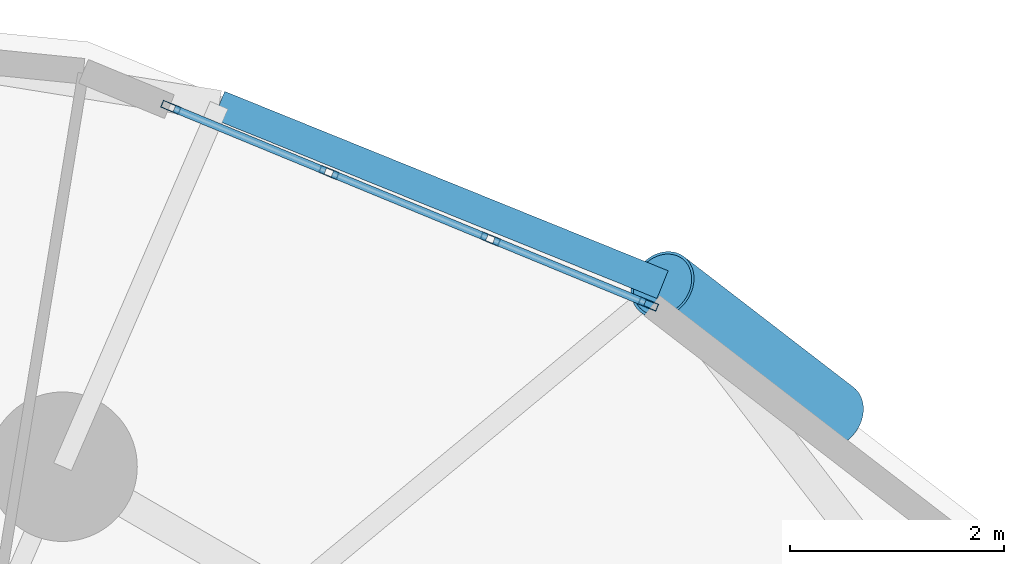
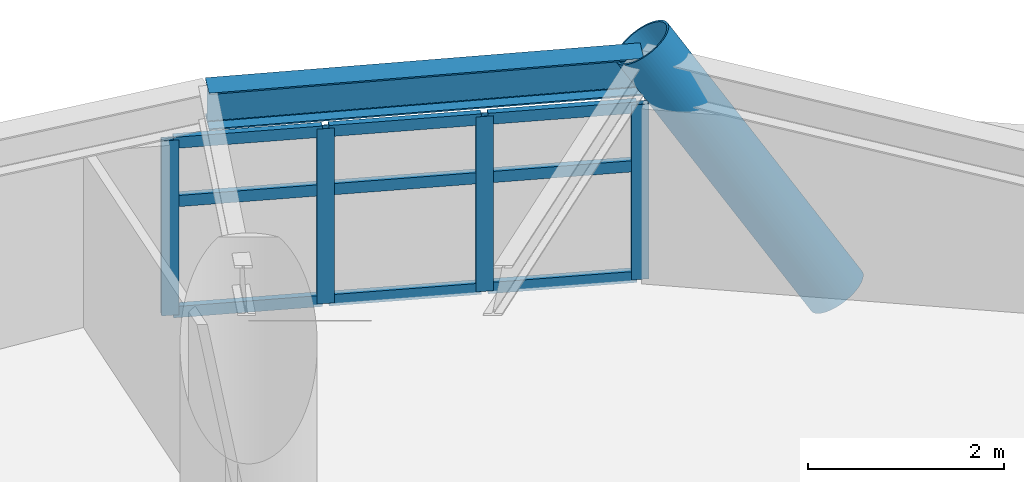
# One storey, part 7 of 16: 14 members, 1 beam, 1 element without a shape of its own.
"""IFC4 building model written with IfcOpenShell, lengths in metres."""

from ifc_helpers import new_model, si_unit, direction, frame, origin, origin_2d, place, context, subcontext, project, spatial, hollow_rectangle, hollow_circle, i_section, extrude, material, layer, layer_set, material_profile, profile_set, type_object, element, aggregate, save


model = new_model("IFC4")

# Units and contexts
model_context = context("Model", 3, precision=1e-05, world=origin(), true_north=direction((0.0, 1.0)))
body_context = subcontext(model_context, "Body", "Model", "MODEL_VIEW")
ifc_project = project(units=[si_unit("LENGTHUNIT", "METRE"), si_unit("AREAUNIT", "SQUARE_METRE"), si_unit("VOLUMEUNIT", "CUBIC_METRE"), si_unit("PLANEANGLEUNIT", "RADIAN"), si_unit("MASSUNIT", "GRAM", prefix="KILO")], contexts=[model_context])

# Site, building, storey
site_placement = place(None, origin())
site = spatial("IfcSite", under=ifc_project, at=site_placement, CompositionType="ELEMENT")
building_placement = place(site_placement, origin())
building = spatial("IfcBuilding", under=site, at=building_placement, Name="Cununo Teusaquillo Station Towers", CompositionType="ELEMENT")
storey_placement = place(building_placement, frame((0.0, 0.0, 99.25)))
storey = spatial("IfcBuildingStorey", under=building, at=storey_placement, Name="L31", CompositionType="ELEMENT", Elevation=99.25)

# Beam
ifc_material_1 = material(Name="Steel ASTM A572 Grade 50", Category="steel")
ifc_material_profile_1 = material_profile(ifc_material_1, i_section(OverallWidth=0.280029296875, OverallDepth=0.462890625, WebThickness=0.0107421875, FlangeThickness=0.017333984375, FilletRadius=0.013916015625, at=origin_2d()), Name="W18X76")
ifc_profile_set_1 = profile_set([ifc_material_profile_1], Name="Steel ASTM A572 Grade 50")
beam_type = type_object("IfcBeamType", Name="BM-RING-Z2", PredefinedType="SPANDREL", material=ifc_profile_set_1)
beam_placement = place(storey_placement, frame((63.9111328125, 39.341064453125, 2.4384765625), z_axis=(-0.927007712072, 0.375042266631, 0.0), x_axis=(-0.375042266631, -0.927007712072, 0.0)))
element("IfcBeam", 1, at=beam_placement, inside=storey, type_object=beam_type, Name="L31 Tower B Spandrel Ring Beam 02", PredefinedType="SPANDREL", context=body_context, shape_type="SweptSolid", body=[
    extrude(i_section(OverallWidth=0.280029296875, OverallDepth=0.462890625, WebThickness=0.0107421875, FlangeThickness=0.017333984375, FilletRadius=0.013916015625, at=origin_2d()), origin(), (0.0, 0.0, 1.0), 4.480712890625),
])

# Curtain wall, members
ifc_material_2 = material(Name="Ceramic-fritted dark low-E double glazing", Category="glass")
ifc_layer = layer(ifc_material_2, 0.179931640625)
ifc_layer_set = layer_set([ifc_layer], Name="Ceramic-fritted dark low-E double glazing")
curtain_wall_type = type_object("IfcCurtainWallType", Name="CW-SYS-04", PredefinedType="USERDEFINED", material=ifc_layer_set)
curtain_wall_placement = place(storey_placement, origin())
curtain_wall = element("IfcCurtainWall", 2, at=curtain_wall_placement, inside=storey, type_object=curtain_wall_type, Name="L31 Tower B Facade Curtain Wall C01", ObjectType="FRITTED GLAZING", PredefinedType="USERDEFINED")
ifc_material_3 = material(Name="Anodised dark bronze aluminium EN AW-6063-T6", Category="aluminium")
ifc_material_profile_2 = material_profile(ifc_material_3, hollow_rectangle(XDim=0.070068359375, YDim=0.179931640625, WallThickness=0.00390625, at=origin_2d()), Name="CW-MULL-70x180")
ifc_profile_set_2 = profile_set([ifc_material_profile_2], Name="Anodised dark bronze aluminium EN AW-6063-T6")
member_type_1 = type_object("IfcMemberType", Name="CWM-180", PredefinedType="MULLION", material=ifc_profile_set_2)
member_1_placement = place(storey_placement, frame((59.3056640625, 41.001953125, 0.0), z_axis=(0.0, 0.0, 1.0), x_axis=(0.381030560176, 0.924562443652, 0.0)))
member_1 = element("IfcMember", 3, at=member_1_placement, type_object=member_type_1, Name="CW-04 mullion 1", PredefinedType="MULLION", context=body_context, shape_type="SweptSolid", body=[
    extrude(hollow_rectangle(XDim=0.070068359375, YDim=0.179931640625, WallThickness=0.00390625, at=origin_2d()), origin(), (0.0, 0.0, 1.0), 2.178955078125),
])
member_2_placement = place(storey_placement, frame((60.785888671875, 40.39208984375, 0.0), z_axis=(0.0, 0.0, 1.0), x_axis=(0.381030560176, 0.924562443652, 0.0)))
member_2 = element("IfcMember", 4, at=member_2_placement, type_object=member_type_1, Name="CW-04 mullion 2", PredefinedType="MULLION", context=body_context, shape_type="SweptSolid", body=[
    extrude(hollow_rectangle(XDim=0.070068359375, YDim=0.179931640625, WallThickness=0.00390625, at=origin_2d()), origin(), (0.0, 0.0, 1.0), 2.178955078125),
])
member_3_placement = place(storey_placement, frame((62.298583984375, 39.7685546875, 0.0), z_axis=(0.0, 0.0, 1.0), x_axis=(0.381030560176, 0.924562443652, 0.0)))
member_3 = element("IfcMember", 5, at=member_3_placement, type_object=member_type_1, Name="CW-04 mullion 3", PredefinedType="MULLION", context=body_context, shape_type="SweptSolid", body=[
    extrude(hollow_rectangle(XDim=0.070068359375, YDim=0.179931640625, WallThickness=0.00390625, at=origin_2d()), origin(), (0.0, 0.0, 1.0), 2.178955078125),
])
member_4_placement = place(storey_placement, frame((63.77880859375, 39.158447265625, 0.0), z_axis=(0.0, 0.0, 1.0), x_axis=(0.381030560176, 0.924562443652, 0.0)))
member_4 = element("IfcMember", 6, at=member_4_placement, type_object=member_type_1, Name="CW-04 mullion 4", PredefinedType="MULLION", context=body_context, shape_type="SweptSolid", body=[
    extrude(hollow_rectangle(XDim=0.070068359375, YDim=0.179931640625, WallThickness=0.00390625, at=origin_2d()), origin(), (0.0, 0.0, 1.0), 2.178955078125),
])
ifc_material_4 = material(Name="Anodised dark bronze aluminium EN AW-6063-T6", Category="aluminium")
ifc_material_profile_3 = material_profile(ifc_material_4, hollow_rectangle(XDim=0.070068359375, YDim=0.139892578125, WallThickness=0.00390625, at=origin_2d()), Name="CW-TRAN-70x140")
ifc_profile_set_3 = profile_set([ifc_material_profile_3], Name="Anodised dark bronze aluminium EN AW-6063-T6")
member_type_2 = type_object("IfcMemberType", Name="CWT-140", PredefinedType="USERDEFINED", material=ifc_profile_set_3)
member_5_placement = place(storey_placement, frame((59.337890625, 40.98876953125, 0.034912109375), z_axis=(0.924532726965, -0.381102659097, 0.0), x_axis=(0.381102659097, 0.924532726965, 0.0)))
member_5 = element("IfcMember", 7, at=member_5_placement, type_object=member_type_2, Name="CW-04 transom 1.1", ObjectType="TRANSOM", PredefinedType="USERDEFINED", context=body_context, shape_type="SweptSolid", body=[
    extrude(hollow_rectangle(XDim=0.070068359375, YDim=0.139892578125, WallThickness=0.00390625, at=origin_2d()), origin(), (0.0, 0.0, 1.0), 1.531005859375),
])
member_6_placement = place(storey_placement, frame((59.337890625, 40.98876953125, 1.416015625), z_axis=(0.924532726965, -0.381102659097, 0.0), x_axis=(0.381102659097, 0.924532726965, 0.0)))
member_6 = element("IfcMember", 8, at=member_6_placement, type_object=member_type_2, Name="CW-04 transom 1.2", ObjectType="TRANSOM", PredefinedType="USERDEFINED", context=body_context, shape_type="SweptSolid", body=[
    extrude(hollow_rectangle(XDim=0.070068359375, YDim=0.139892578125, WallThickness=0.00390625, at=origin_2d()), origin(), (0.0, 0.0, 1.0), 1.531005859375),
])
member_7_placement = place(storey_placement, frame((59.337890625, 40.98876953125, 2.14404296875), z_axis=(0.924532726965, -0.381102659097, 0.0), x_axis=(0.381102659097, 0.924532726965, 0.0)))
member_7 = element("IfcMember", 9, at=member_7_placement, type_object=member_type_2, Name="CW-04 transom 1.3", ObjectType="TRANSOM", PredefinedType="USERDEFINED", context=body_context, shape_type="SweptSolid", body=[
    extrude(hollow_rectangle(XDim=0.070068359375, YDim=0.139892578125, WallThickness=0.00390625, at=origin_2d()), origin(), (0.0, 0.0, 1.0), 1.531005859375),
])
member_8_placement = place(storey_placement, frame((60.818115234375, 40.378662109375, 0.034912109375), z_axis=(0.924577983912, -0.380992849887, 0.0), x_axis=(0.380992849887, 0.924577983912, 0.0)))
member_8 = element("IfcMember", 10, at=member_8_placement, type_object=member_type_2, Name="CW-04 transom 2.1", ObjectType="TRANSOM", PredefinedType="USERDEFINED", context=body_context, shape_type="SweptSolid", body=[
    extrude(hollow_rectangle(XDim=0.070068359375, YDim=0.139892578125, WallThickness=0.00390625, at=origin_2d()), origin(), (0.0, 0.0, 1.0), 1.566162109375),
])
member_9_placement = place(storey_placement, frame((60.818115234375, 40.378662109375, 1.416015625), z_axis=(0.924577983912, -0.380992849887, 0.0), x_axis=(0.380992849887, 0.924577983912, 0.0)))
member_9 = element("IfcMember", 11, at=member_9_placement, type_object=member_type_2, Name="CW-04 transom 2.2", ObjectType="TRANSOM", PredefinedType="USERDEFINED", context=body_context, shape_type="SweptSolid", body=[
    extrude(hollow_rectangle(XDim=0.070068359375, YDim=0.139892578125, WallThickness=0.00390625, at=origin_2d()), origin(), (0.0, 0.0, 1.0), 1.566162109375),
])
member_10_placement = place(storey_placement, frame((60.818115234375, 40.378662109375, 2.14404296875), z_axis=(0.924577983912, -0.380992849887, 0.0), x_axis=(0.380992849887, 0.924577983912, 0.0)))
member_10 = element("IfcMember", 12, at=member_10_placement, type_object=member_type_2, Name="CW-04 transom 2.3", ObjectType="TRANSOM", PredefinedType="USERDEFINED", context=body_context, shape_type="SweptSolid", body=[
    extrude(hollow_rectangle(XDim=0.070068359375, YDim=0.139892578125, WallThickness=0.00390625, at=origin_2d()), origin(), (0.0, 0.0, 1.0), 1.566162109375),
])
member_11_placement = place(storey_placement, frame((62.330810546875, 39.75537109375, 0.034912109375), z_axis=(0.924555881283, -0.381046483233, 0.0), x_axis=(0.381046483233, 0.924555881283, 0.0)))
member_11 = element("IfcMember", 13, at=member_11_placement, type_object=member_type_2, Name="CW-04 transom 3.1", ObjectType="TRANSOM", PredefinedType="USERDEFINED", context=body_context, shape_type="SweptSolid", body=[
    extrude(hollow_rectangle(XDim=0.070068359375, YDim=0.139892578125, WallThickness=0.00390625, at=origin_2d()), origin(), (0.0, 0.0, 1.0), 1.53125),
])
member_12_placement = place(storey_placement, frame((62.330810546875, 39.75537109375, 1.416015625), z_axis=(0.924555881283, -0.381046483233, 0.0), x_axis=(0.381046483233, 0.924555881283, 0.0)))
member_12 = element("IfcMember", 14, at=member_12_placement, type_object=member_type_2, Name="CW-04 transom 3.2", ObjectType="TRANSOM", PredefinedType="USERDEFINED", context=body_context, shape_type="SweptSolid", body=[
    extrude(hollow_rectangle(XDim=0.070068359375, YDim=0.139892578125, WallThickness=0.00390625, at=origin_2d()), origin(), (0.0, 0.0, 1.0), 1.53125),
])
member_13_placement = place(storey_placement, frame((62.330810546875, 39.75537109375, 2.14404296875), z_axis=(0.924555881283, -0.381046483233, 0.0), x_axis=(0.381046483233, 0.924555881283, 0.0)))
member_13 = element("IfcMember", 15, at=member_13_placement, type_object=member_type_2, Name="CW-04 transom 3.3", ObjectType="TRANSOM", PredefinedType="USERDEFINED", context=body_context, shape_type="SweptSolid", body=[
    extrude(hollow_rectangle(XDim=0.070068359375, YDim=0.139892578125, WallThickness=0.00390625, at=origin_2d()), origin(), (0.0, 0.0, 1.0), 1.53125),
])
aggregate(curtain_wall, [member_1, member_2, member_3, member_4, member_5, member_6, member_7, member_8, member_9, member_10, member_11, member_12, member_13])

# Member
ifc_material_5 = material(Name="Steel EN 10025-2 S355J2", Category="steel")
ifc_material_profile_4 = material_profile(ifc_material_5, hollow_circle(Radius=0.330078125, WallThickness=0.02490234375, at=origin_2d()), Name="CHS 660x25")
ifc_profile_set_4 = profile_set([ifc_material_profile_4], Name="Steel EN 10025-2 S355J2")
member_type_3 = type_object("IfcMemberType", Name="MBR-DIAG-Z2", PredefinedType="BRACE", material=ifc_profile_set_4)
member_14_placement = place(storey_placement, frame((65.498291015625, 38.118408203125, -0.139892578125), z_axis=(-0.449247835466, 0.346074936166, 0.823655583898), x_axis=(-0.610264182076, -0.792197972779, 0.0)))
element("IfcMember", 16, at=member_14_placement, inside=storey, type_object=member_type_3, Name="L31 Tower B Folded-Zigzag Diagrid Tube C00", PredefinedType="BRACE", context=body_context, shape_type="SweptSolid", body=[
    extrude(hollow_circle(Radius=0.330078125, WallThickness=0.02490234375, at=origin_2d()), origin(), (0.0, 0.0, 1.0), 3.532958984375),
])

save(model, "model.ifc")
